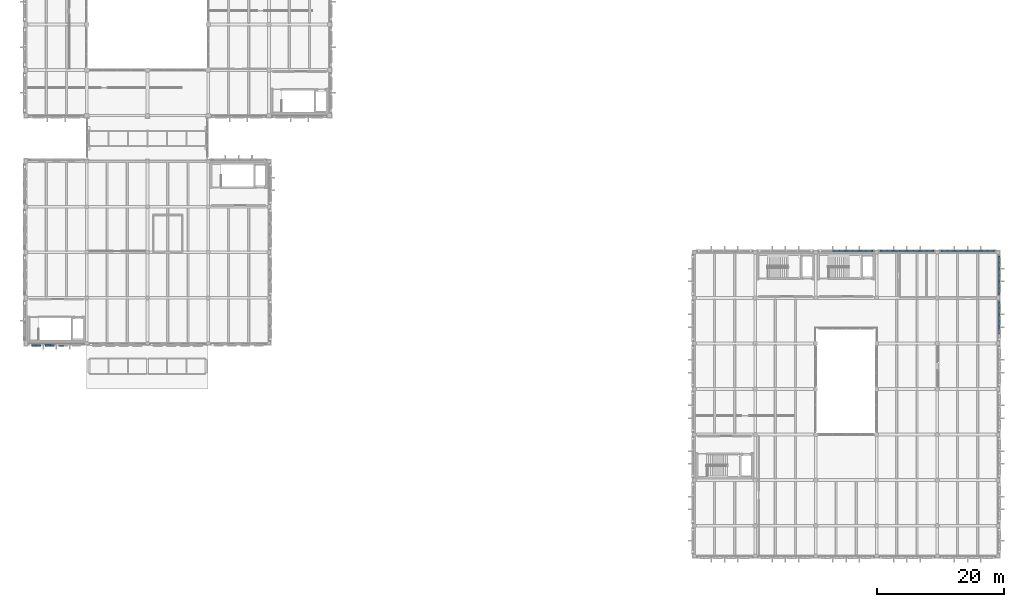
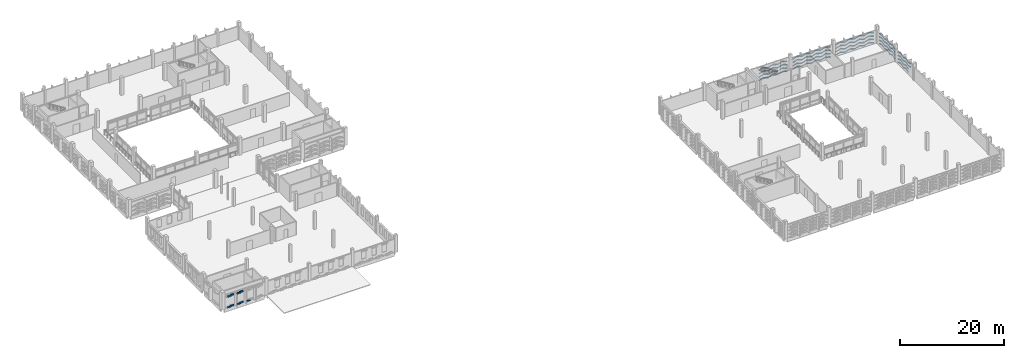
# One storey, part 47 of 72: 139 plates.
"""IFC4 building model written with IfcOpenShell, lengths in metres."""

from ifc_helpers import new_model, si_unit, direction, frame, origin, origin_2d, place, context, subcontext, project, spatial, rectangle, hollow_rectangle, extrude, material, layer, layer_set, material_profile, profile_set, type_object, element, save


model = new_model("IFC4")

# Units and contexts
model_context = context("Model", 3, precision=1e-05, world=origin(), true_north=direction((0.0, 1.0)))
body_context = subcontext(model_context, "Body", "Model", "MODEL_VIEW")
ifc_project = project(units=[si_unit("LENGTHUNIT", "METRE"), si_unit("AREAUNIT", "SQUARE_METRE"), si_unit("VOLUMEUNIT", "CUBIC_METRE"), si_unit("PLANEANGLEUNIT", "RADIAN"), si_unit("MASSUNIT", "GRAM", prefix="KILO")], contexts=[model_context])

# Site, building, storey
site_placement = place(None, origin())
site = spatial("IfcSite", under=ifc_project, at=site_placement, CompositionType="ELEMENT")
building_placement = place(site_placement, origin())
building = spatial("IfcBuilding", under=site, at=building_placement, Name="Asteropetra Specialist Clinic", CompositionType="ELEMENT")
storey_placement = place(building_placement, frame((0.0, 0.0, 12.580078125)))
storey = spatial("IfcBuildingStorey", under=building, at=storey_placement, Name="L03", CompositionType="ELEMENT", Elevation=12.580078125)

# Plates
ifc_material_1 = material(Name="Chevron emerald aluminium 6063-T6", Category="aluminium")
ifc_material_profile = material_profile(ifc_material_1, hollow_rectangle(XDim=0.159912109375, YDim=0.159912109375, WallThickness=0.008056640625, InnerFilletRadius=0.008056640625, OuterFilletRadius=0.01611328125, at=origin_2d()), Name="SHS 160x160x8.0")
ifc_profile_set = profile_set([ifc_material_profile], Name="Chevron emerald aluminium 6063-T6")
plate_type_1 = type_object("IfcPlateType", Name="CHV-RIB-160", PredefinedType="SHEET", material=ifc_profile_set)
for number, where, z_axis, x_axis, name in (
    (1, (133.784912109375, 48.219482421875, 0.0498046875), (-0.95200979945, 0.0, 0.306067544426), (0.0, -1.0, 0.0), "Chevron Facade Screen Fin CVR-3054"),
    (2, (132.753662109375, 48.219482421875, 0.38134765625), (-0.95200979945, 0.0, -0.306067544426), (0.0, -1.0, 0.0), "Chevron Facade Screen Fin CVR-3055"),
    (3, (133.784912109375, 48.219482421875, 0.81982421875), (-0.95200979945, 0.0, 0.306067544426), (0.0, -1.0, 0.0), "Chevron Facade Screen Fin CVR-3056"),
    (4, (132.753662109375, 48.219482421875, 1.1513671875), (-0.95200979945, 0.0, -0.306067544426), (0.0, -1.0, 0.0), "Chevron Facade Screen Fin CVR-3057"),
    (5, (133.784912109375, 48.219482421875, 1.619873046875), (-0.95200979945, 0.0, 0.306067544426), (0.0, -1.0, 0.0), "Chevron Facade Screen Fin CVR-3058"),
    (6, (132.753662109375, 48.219482421875, 1.951416015625), (-0.95200979945, 0.0, -0.306067544426), (0.0, -1.0, 0.0), "Chevron Facade Screen Fin CVR-3059"),
    (7, (133.784912109375, 48.219482421875, 2.39990234375), (-0.95200979945, 0.0, 0.306067544426), (0.0, -1.0, 0.0), "Chevron Facade Screen Fin CVR-3060"),
    (8, (132.753662109375, 48.219482421875, 2.7314453125), (-0.95200979945, 0.0, -0.306067544426), (0.0, -1.0, 0.0), "Chevron Facade Screen Fin CVR-3061"),
    (9, (131.6826171875, 48.219482421875, 0.0498046875), (-0.95200979945, 0.0, 0.306067544426), (0.0, -1.0, 0.0), "Chevron Facade Screen Fin CVR-3062"),
    (10, (130.6513671875, 48.219482421875, 0.38134765625), (-0.95200979945, 0.0, -0.306067544426), (0.0, -1.0, 0.0), "Chevron Facade Screen Fin CVR-3063"),
    (11, (131.6826171875, 48.219482421875, 0.81982421875), (-0.95200979945, 0.0, 0.306067544426), (0.0, -1.0, 0.0), "Chevron Facade Screen Fin CVR-3064"),
    (12, (130.6513671875, 48.219482421875, 1.1513671875), (-0.95200979945, 0.0, -0.306067544426), (0.0, -1.0, 0.0), "Chevron Facade Screen Fin CVR-3065"),
    (13, (131.6826171875, 48.219482421875, 1.619873046875), (-0.95200979945, 0.0, 0.306067544426), (0.0, -1.0, 0.0), "Chevron Facade Screen Fin CVR-3066"),
    (14, (130.6513671875, 48.219482421875, 1.951416015625), (-0.95200979945, 0.0, -0.306067544426), (0.0, -1.0, 0.0), "Chevron Facade Screen Fin CVR-3067"),
    (15, (131.6826171875, 48.219482421875, 2.39990234375), (-0.95200979945, 0.0, 0.306067544426), (0.0, -1.0, 0.0), "Chevron Facade Screen Fin CVR-3068"),
    (16, (130.6513671875, 48.219482421875, 2.7314453125), (-0.95200979945, 0.0, -0.306067544426), (0.0, -1.0, 0.0), "Chevron Facade Screen Fin CVR-3069"),
    (17, (129.580078125, 48.219482421875, 0.0498046875), (-0.95200979945, 0.0, 0.306067544426), (0.0, -1.0, 0.0), "Chevron Facade Screen Fin CVR-3070"),
    (18, (128.548828125, 48.219482421875, 0.38134765625), (-0.95200979945, 0.0, -0.306067544426), (0.0, -1.0, 0.0), "Chevron Facade Screen Fin CVR-3071"),
    (19, (129.580078125, 48.219482421875, 0.81982421875), (-0.95200979945, 0.0, 0.306067544426), (0.0, -1.0, 0.0), "Chevron Facade Screen Fin CVR-3072"),
    (20, (128.548828125, 48.219482421875, 1.1513671875), (-0.95200979945, 0.0, -0.306067544426), (0.0, -1.0, 0.0), "Chevron Facade Screen Fin CVR-3073"),
    (21, (129.580078125, 48.219482421875, 1.619873046875), (-0.95200979945, 0.0, 0.306067544426), (0.0, -1.0, 0.0), "Chevron Facade Screen Fin CVR-3074"),
    (22, (128.548828125, 48.219482421875, 1.951416015625), (-0.95200979945, 0.0, -0.306067544426), (0.0, -1.0, 0.0), "Chevron Facade Screen Fin CVR-3075"),
    (23, (129.580078125, 48.219482421875, 2.39990234375), (-0.95200979945, 0.0, 0.306067544426), (0.0, -1.0, 0.0), "Chevron Facade Screen Fin CVR-3076"),
    (24, (128.548828125, 48.219482421875, 2.7314453125), (-0.95200979945, 0.0, -0.306067544426), (0.0, -1.0, 0.0), "Chevron Facade Screen Fin CVR-3077"),
    (25, (143.385009765625, 48.219482421875, 0.0498046875), (-0.95200979945, 0.0, 0.306067544426), (0.0, -1.0, 0.0), "Chevron Facade Screen Fin CVR-3118"),
    (26, (142.353759765625, 48.219482421875, 0.38134765625), (-0.95200979945, 0.0, -0.306067544426), (0.0, -1.0, 0.0), "Chevron Facade Screen Fin CVR-3119"),
    (27, (143.385009765625, 48.219482421875, 0.81982421875), (-0.95200979945, 0.0, 0.306067544426), (0.0, -1.0, 0.0), "Chevron Facade Screen Fin CVR-3120"),
    (28, (142.353759765625, 48.219482421875, 1.1513671875), (-0.95200979945, 0.0, -0.306067544426), (0.0, -1.0, 0.0), "Chevron Facade Screen Fin CVR-3121"),
    (29, (143.385009765625, 48.219482421875, 1.619873046875), (-0.95200979945, 0.0, 0.306067544426), (0.0, -1.0, 0.0), "Chevron Facade Screen Fin CVR-3122"),
    (30, (142.353759765625, 48.219482421875, 1.951416015625), (-0.95200979945, 0.0, -0.306067544426), (0.0, -1.0, 0.0), "Chevron Facade Screen Fin CVR-3123"),
    (31, (143.385009765625, 48.219482421875, 2.39990234375), (-0.95200979945, 0.0, 0.306067544426), (0.0, -1.0, 0.0), "Chevron Facade Screen Fin CVR-3124"),
    (32, (142.353759765625, 48.219482421875, 2.7314453125), (-0.95200979945, 0.0, -0.306067544426), (0.0, -1.0, 0.0), "Chevron Facade Screen Fin CVR-3125"),
    (33, (141.282470703125, 48.219482421875, 0.0498046875), (-0.95200979945, 0.0, 0.306067544426), (0.0, -1.0, 0.0), "Chevron Facade Screen Fin CVR-3126"),
    (34, (140.251220703125, 48.219482421875, 0.38134765625), (-0.95200979945, 0.0, -0.306067544426), (0.0, -1.0, 0.0), "Chevron Facade Screen Fin CVR-3127"),
    (35, (141.282470703125, 48.219482421875, 0.81982421875), (-0.95200979945, 0.0, 0.306067544426), (0.0, -1.0, 0.0), "Chevron Facade Screen Fin CVR-3128"),
    (36, (140.251220703125, 48.219482421875, 1.1513671875), (-0.95200979945, 0.0, -0.306067544426), (0.0, -1.0, 0.0), "Chevron Facade Screen Fin CVR-3129"),
    (37, (141.282470703125, 48.219482421875, 1.619873046875), (-0.95200979945, 0.0, 0.306067544426), (0.0, -1.0, 0.0), "Chevron Facade Screen Fin CVR-3130"),
    (38, (140.251220703125, 48.219482421875, 1.951416015625), (-0.95200979945, 0.0, -0.306067544426), (0.0, -1.0, 0.0), "Chevron Facade Screen Fin CVR-3131"),
    (39, (141.282470703125, 48.219482421875, 2.39990234375), (-0.95200979945, 0.0, 0.306067544426), (0.0, -1.0, 0.0), "Chevron Facade Screen Fin CVR-3132"),
    (40, (140.251220703125, 48.219482421875, 2.7314453125), (-0.95200979945, 0.0, -0.306067544426), (0.0, -1.0, 0.0), "Chevron Facade Screen Fin CVR-3133"),
    (41, (139.179931640625, 48.219482421875, 0.0498046875), (-0.95200979945, 0.0, 0.306067544426), (0.0, -1.0, 0.0), "Chevron Facade Screen Fin CVR-3134"),
    (42, (138.148681640625, 48.219482421875, 0.38134765625), (-0.95200979945, 0.0, -0.306067544426), (0.0, -1.0, 0.0), "Chevron Facade Screen Fin CVR-3135"),
    (43, (139.179931640625, 48.219482421875, 0.81982421875), (-0.95200979945, 0.0, 0.306067544426), (0.0, -1.0, 0.0), "Chevron Facade Screen Fin CVR-3136"),
    (44, (138.148681640625, 48.219482421875, 1.1513671875), (-0.95200979945, 0.0, -0.306067544426), (0.0, -1.0, 0.0), "Chevron Facade Screen Fin CVR-3137"),
    (45, (139.179931640625, 48.219482421875, 1.619873046875), (-0.95200979945, 0.0, 0.306067544426), (0.0, -1.0, 0.0), "Chevron Facade Screen Fin CVR-3138"),
    (46, (138.148681640625, 48.219482421875, 1.951416015625), (-0.95200979945, 0.0, -0.306067544426), (0.0, -1.0, 0.0), "Chevron Facade Screen Fin CVR-3139"),
    (47, (139.179931640625, 48.219482421875, 2.39990234375), (-0.95200979945, 0.0, 0.306067544426), (0.0, -1.0, 0.0), "Chevron Facade Screen Fin CVR-3140"),
    (48, (138.148681640625, 48.219482421875, 2.7314453125), (-0.95200979945, 0.0, -0.306067544426), (0.0, -1.0, 0.0), "Chevron Facade Screen Fin CVR-3141"),
):
    element("IfcPlate", number, at=place(storey_placement, frame(where, z_axis=z_axis, x_axis=x_axis)), inside=storey, type_object=plate_type_1, Name=name, PredefinedType="SHEET", context=body_context, shape_type="SweptSolid", body=[
        extrude(hollow_rectangle(XDim=0.159912109375, YDim=0.159912109375, WallThickness=0.008056640625, InnerFilletRadius=0.008056640625, OuterFilletRadius=0.01611328125, at=origin_2d()), origin(), (0.0, 0.0, 1.0), 1.083251953125),
    ])
plate_1_placement = place(storey_placement, frame((137.077392578125, 48.219482421875, 0.0498046875), z_axis=(-0.95198867955, 0.0, 0.30613322918), x_axis=(0.0, -1.0, 0.0)))
element("IfcPlate", 49, at=plate_1_placement, inside=storey, type_object=plate_type_1, Name="Chevron Facade Screen Fin CVR-3142", PredefinedType="SHEET", context=body_context, shape_type="SweptSolid", body=[
    extrude(hollow_rectangle(XDim=0.159912109375, YDim=0.159912109375, WallThickness=0.008056640625, InnerFilletRadius=0.008056640625, OuterFilletRadius=0.01611328125, at=origin_2d()), origin(), (0.0, 0.0, 1.0), 1.0830078125),
])
plate_2_placement = place(storey_placement, frame((136.04638671875, 48.219482421875, 0.38134765625), z_axis=(-0.95203090576, 0.0, -0.306001886396), x_axis=(0.0, -1.0, 0.0)))
element("IfcPlate", 50, at=plate_2_placement, inside=storey, type_object=plate_type_1, Name="Chevron Facade Screen Fin CVR-3143", PredefinedType="SHEET", context=body_context, shape_type="SweptSolid", body=[
    extrude(hollow_rectangle(XDim=0.159912109375, YDim=0.159912109375, WallThickness=0.008056640625, InnerFilletRadius=0.008056640625, OuterFilletRadius=0.01611328125, at=origin_2d()), origin(), (0.0, 0.0, 1.0), 1.08349609375),
])
plate_3_placement = place(storey_placement, frame((137.077392578125, 48.219482421875, 0.81982421875), z_axis=(-0.95198867955, 0.0, 0.30613322918), x_axis=(0.0, -1.0, 0.0)))
element("IfcPlate", 51, at=plate_3_placement, inside=storey, type_object=plate_type_1, Name="Chevron Facade Screen Fin CVR-3144", PredefinedType="SHEET", context=body_context, shape_type="SweptSolid", body=[
    extrude(hollow_rectangle(XDim=0.159912109375, YDim=0.159912109375, WallThickness=0.008056640625, InnerFilletRadius=0.008056640625, OuterFilletRadius=0.01611328125, at=origin_2d()), origin(), (0.0, 0.0, 1.0), 1.0830078125),
])
plate_4_placement = place(storey_placement, frame((136.04638671875, 48.219482421875, 1.1513671875), z_axis=(-0.95203090576, 0.0, -0.306001886396), x_axis=(0.0, -1.0, 0.0)))
element("IfcPlate", 52, at=plate_4_placement, inside=storey, type_object=plate_type_1, Name="Chevron Facade Screen Fin CVR-3145", PredefinedType="SHEET", context=body_context, shape_type="SweptSolid", body=[
    extrude(hollow_rectangle(XDim=0.159912109375, YDim=0.159912109375, WallThickness=0.008056640625, InnerFilletRadius=0.008056640625, OuterFilletRadius=0.01611328125, at=origin_2d()), origin(), (0.0, 0.0, 1.0), 1.08349609375),
])
plate_5_placement = place(storey_placement, frame((137.077392578125, 48.219482421875, 1.619873046875), z_axis=(-0.95198867955, 0.0, 0.30613322918), x_axis=(0.0, -1.0, 0.0)))
element("IfcPlate", 53, at=plate_5_placement, inside=storey, type_object=plate_type_1, Name="Chevron Facade Screen Fin CVR-3146", PredefinedType="SHEET", context=body_context, shape_type="SweptSolid", body=[
    extrude(hollow_rectangle(XDim=0.159912109375, YDim=0.159912109375, WallThickness=0.008056640625, InnerFilletRadius=0.008056640625, OuterFilletRadius=0.01611328125, at=origin_2d()), origin(), (0.0, 0.0, 1.0), 1.0830078125),
])
plate_6_placement = place(storey_placement, frame((136.04638671875, 48.219482421875, 1.951416015625), z_axis=(-0.95203090576, 0.0, -0.306001886396), x_axis=(0.0, -1.0, 0.0)))
element("IfcPlate", 54, at=plate_6_placement, inside=storey, type_object=plate_type_1, Name="Chevron Facade Screen Fin CVR-3147", PredefinedType="SHEET", context=body_context, shape_type="SweptSolid", body=[
    extrude(hollow_rectangle(XDim=0.159912109375, YDim=0.159912109375, WallThickness=0.008056640625, InnerFilletRadius=0.008056640625, OuterFilletRadius=0.01611328125, at=origin_2d()), origin(), (0.0, 0.0, 1.0), 1.08349609375),
])
plate_7_placement = place(storey_placement, frame((137.077392578125, 48.219482421875, 2.39990234375), z_axis=(-0.95198867955, 0.0, 0.30613322918), x_axis=(0.0, -1.0, 0.0)))
element("IfcPlate", 55, at=plate_7_placement, inside=storey, type_object=plate_type_1, Name="Chevron Facade Screen Fin CVR-3148", PredefinedType="SHEET", context=body_context, shape_type="SweptSolid", body=[
    extrude(hollow_rectangle(XDim=0.159912109375, YDim=0.159912109375, WallThickness=0.008056640625, InnerFilletRadius=0.008056640625, OuterFilletRadius=0.01611328125, at=origin_2d()), origin(), (0.0, 0.0, 1.0), 1.0830078125),
])
for number, where, z_axis, x_axis, name in (
    (56, (136.04638671875, 48.219482421875, 2.7314453125), (-0.95203090576, 0.0, -0.306001886396), (0.0, -1.0, 0.0), "Chevron Facade Screen Fin CVR-3149"),
    (57, (152.985107421875, 48.219482421875, 0.0498046875), (-0.95203090576, 0.0, 0.306001886396), (0.0, -1.0, 0.0), "Chevron Facade Screen Fin CVR-3182"),
):
    element("IfcPlate", number, at=place(storey_placement, frame(where, z_axis=z_axis, x_axis=x_axis)), inside=storey, type_object=plate_type_1, Name=name, PredefinedType="SHEET", context=body_context, shape_type="SweptSolid", body=[
        extrude(hollow_rectangle(XDim=0.159912109375, YDim=0.159912109375, WallThickness=0.008056640625, InnerFilletRadius=0.008056640625, OuterFilletRadius=0.01611328125, at=origin_2d()), origin(), (0.0, 0.0, 1.0), 1.08349609375),
    ])
plate_8_placement = place(storey_placement, frame((151.95361328125, 48.219482421875, 0.38134765625), z_axis=(-0.95198867955, 0.0, -0.30613322918), x_axis=(0.0, -1.0, 0.0)))
element("IfcPlate", 58, at=plate_8_placement, inside=storey, type_object=plate_type_1, Name="Chevron Facade Screen Fin CVR-3183", PredefinedType="SHEET", context=body_context, shape_type="SweptSolid", body=[
    extrude(hollow_rectangle(XDim=0.159912109375, YDim=0.159912109375, WallThickness=0.008056640625, InnerFilletRadius=0.008056640625, OuterFilletRadius=0.01611328125, at=origin_2d()), origin(), (0.0, 0.0, 1.0), 1.0830078125),
])
plate_9_placement = place(storey_placement, frame((152.985107421875, 48.219482421875, 0.81982421875), z_axis=(-0.95203090576, 0.0, 0.306001886396), x_axis=(0.0, -1.0, 0.0)))
element("IfcPlate", 59, at=plate_9_placement, inside=storey, type_object=plate_type_1, Name="Chevron Facade Screen Fin CVR-3184", PredefinedType="SHEET", context=body_context, shape_type="SweptSolid", body=[
    extrude(hollow_rectangle(XDim=0.159912109375, YDim=0.159912109375, WallThickness=0.008056640625, InnerFilletRadius=0.008056640625, OuterFilletRadius=0.01611328125, at=origin_2d()), origin(), (0.0, 0.0, 1.0), 1.08349609375),
])
plate_10_placement = place(storey_placement, frame((151.95361328125, 48.219482421875, 1.1513671875), z_axis=(-0.95198867955, 0.0, -0.30613322918), x_axis=(0.0, -1.0, 0.0)))
element("IfcPlate", 60, at=plate_10_placement, inside=storey, type_object=plate_type_1, Name="Chevron Facade Screen Fin CVR-3185", PredefinedType="SHEET", context=body_context, shape_type="SweptSolid", body=[
    extrude(hollow_rectangle(XDim=0.159912109375, YDim=0.159912109375, WallThickness=0.008056640625, InnerFilletRadius=0.008056640625, OuterFilletRadius=0.01611328125, at=origin_2d()), origin(), (0.0, 0.0, 1.0), 1.0830078125),
])
plate_11_placement = place(storey_placement, frame((152.985107421875, 48.219482421875, 1.619873046875), z_axis=(-0.95203090576, 0.0, 0.306001886396), x_axis=(0.0, -1.0, 0.0)))
element("IfcPlate", 61, at=plate_11_placement, inside=storey, type_object=plate_type_1, Name="Chevron Facade Screen Fin CVR-3186", PredefinedType="SHEET", context=body_context, shape_type="SweptSolid", body=[
    extrude(hollow_rectangle(XDim=0.159912109375, YDim=0.159912109375, WallThickness=0.008056640625, InnerFilletRadius=0.008056640625, OuterFilletRadius=0.01611328125, at=origin_2d()), origin(), (0.0, 0.0, 1.0), 1.08349609375),
])
plate_12_placement = place(storey_placement, frame((151.95361328125, 48.219482421875, 1.951416015625), z_axis=(-0.95198867955, 0.0, -0.30613322918), x_axis=(0.0, -1.0, 0.0)))
element("IfcPlate", 62, at=plate_12_placement, inside=storey, type_object=plate_type_1, Name="Chevron Facade Screen Fin CVR-3187", PredefinedType="SHEET", context=body_context, shape_type="SweptSolid", body=[
    extrude(hollow_rectangle(XDim=0.159912109375, YDim=0.159912109375, WallThickness=0.008056640625, InnerFilletRadius=0.008056640625, OuterFilletRadius=0.01611328125, at=origin_2d()), origin(), (0.0, 0.0, 1.0), 1.0830078125),
])
plate_13_placement = place(storey_placement, frame((152.985107421875, 48.219482421875, 2.39990234375), z_axis=(-0.95203090576, 0.0, 0.306001886396), x_axis=(0.0, -1.0, 0.0)))
element("IfcPlate", 63, at=plate_13_placement, inside=storey, type_object=plate_type_1, Name="Chevron Facade Screen Fin CVR-3188", PredefinedType="SHEET", context=body_context, shape_type="SweptSolid", body=[
    extrude(hollow_rectangle(XDim=0.159912109375, YDim=0.159912109375, WallThickness=0.008056640625, InnerFilletRadius=0.008056640625, OuterFilletRadius=0.01611328125, at=origin_2d()), origin(), (0.0, 0.0, 1.0), 1.08349609375),
])
plate_14_placement = place(storey_placement, frame((151.95361328125, 48.219482421875, 2.7314453125), z_axis=(-0.95198867955, 0.0, -0.30613322918), x_axis=(0.0, -1.0, 0.0)))
element("IfcPlate", 64, at=plate_14_placement, inside=storey, type_object=plate_type_1, Name="Chevron Facade Screen Fin CVR-3189", PredefinedType="SHEET", context=body_context, shape_type="SweptSolid", body=[
    extrude(hollow_rectangle(XDim=0.159912109375, YDim=0.159912109375, WallThickness=0.008056640625, InnerFilletRadius=0.008056640625, OuterFilletRadius=0.01611328125, at=origin_2d()), origin(), (0.0, 0.0, 1.0), 1.0830078125),
])
for number, where, z_axis, x_axis, name in (
    (65, (150.882568359375, 48.219482421875, 0.0498046875), (-0.95200979945, 0.0, 0.306067544426), (0.0, -1.0, 0.0), "Chevron Facade Screen Fin CVR-3190"),
    (66, (149.851318359375, 48.219482421875, 0.38134765625), (-0.95200979945, 0.0, -0.306067544426), (0.0, -1.0, 0.0), "Chevron Facade Screen Fin CVR-3191"),
    (67, (150.882568359375, 48.219482421875, 0.81982421875), (-0.95200979945, 0.0, 0.306067544426), (0.0, -1.0, 0.0), "Chevron Facade Screen Fin CVR-3192"),
    (68, (149.851318359375, 48.219482421875, 1.1513671875), (-0.95200979945, 0.0, -0.306067544426), (0.0, -1.0, 0.0), "Chevron Facade Screen Fin CVR-3193"),
    (69, (150.882568359375, 48.219482421875, 1.619873046875), (-0.95200979945, 0.0, 0.306067544426), (0.0, -1.0, 0.0), "Chevron Facade Screen Fin CVR-3194"),
    (70, (149.851318359375, 48.219482421875, 1.951416015625), (-0.95200979945, 0.0, -0.306067544426), (0.0, -1.0, 0.0), "Chevron Facade Screen Fin CVR-3195"),
    (71, (150.882568359375, 48.219482421875, 2.39990234375), (-0.95200979945, 0.0, 0.306067544426), (0.0, -1.0, 0.0), "Chevron Facade Screen Fin CVR-3196"),
    (72, (149.851318359375, 48.219482421875, 2.7314453125), (-0.95200979945, 0.0, -0.306067544426), (0.0, -1.0, 0.0), "Chevron Facade Screen Fin CVR-3197"),
    (73, (148.780029296875, 48.219482421875, 0.0498046875), (-0.95200979945, 0.0, 0.306067544426), (0.0, -1.0, 0.0), "Chevron Facade Screen Fin CVR-3198"),
    (74, (147.748779296875, 48.219482421875, 0.38134765625), (-0.95200979945, 0.0, -0.306067544426), (0.0, -1.0, 0.0), "Chevron Facade Screen Fin CVR-3199"),
    (75, (148.780029296875, 48.219482421875, 0.81982421875), (-0.95200979945, 0.0, 0.306067544426), (0.0, -1.0, 0.0), "Chevron Facade Screen Fin CVR-3200"),
    (76, (147.748779296875, 48.219482421875, 1.1513671875), (-0.95200979945, 0.0, -0.306067544426), (0.0, -1.0, 0.0), "Chevron Facade Screen Fin CVR-3201"),
    (77, (148.780029296875, 48.219482421875, 1.619873046875), (-0.95200979945, 0.0, 0.306067544426), (0.0, -1.0, 0.0), "Chevron Facade Screen Fin CVR-3202"),
    (78, (147.748779296875, 48.219482421875, 1.951416015625), (-0.95200979945, 0.0, -0.306067544426), (0.0, -1.0, 0.0), "Chevron Facade Screen Fin CVR-3203"),
    (79, (148.780029296875, 48.219482421875, 2.39990234375), (-0.95200979945, 0.0, 0.306067544426), (0.0, -1.0, 0.0), "Chevron Facade Screen Fin CVR-3204"),
    (80, (147.748779296875, 48.219482421875, 2.7314453125), (-0.95200979945, 0.0, -0.306067544426), (0.0, -1.0, 0.0), "Chevron Facade Screen Fin CVR-3205"),
    (81, (146.677490234375, 48.219482421875, 0.0498046875), (-0.95200979945, 0.0, 0.306067544426), (0.0, -1.0, 0.0), "Chevron Facade Screen Fin CVR-3206"),
    (82, (145.646240234375, 48.219482421875, 0.38134765625), (-0.95200979945, 0.0, -0.306067544426), (0.0, -1.0, 0.0), "Chevron Facade Screen Fin CVR-3207"),
    (83, (146.677490234375, 48.219482421875, 0.81982421875), (-0.95200979945, 0.0, 0.306067544426), (0.0, -1.0, 0.0), "Chevron Facade Screen Fin CVR-3208"),
    (84, (145.646240234375, 48.219482421875, 1.1513671875), (-0.95200979945, 0.0, -0.306067544426), (0.0, -1.0, 0.0), "Chevron Facade Screen Fin CVR-3209"),
    (85, (146.677490234375, 48.219482421875, 1.619873046875), (-0.95200979945, 0.0, 0.306067544426), (0.0, -1.0, 0.0), "Chevron Facade Screen Fin CVR-3210"),
    (86, (145.646240234375, 48.219482421875, 1.951416015625), (-0.95200979945, 0.0, -0.306067544426), (0.0, -1.0, 0.0), "Chevron Facade Screen Fin CVR-3211"),
    (87, (146.677490234375, 48.219482421875, 2.39990234375), (-0.95200979945, 0.0, 0.306067544426), (0.0, -1.0, 0.0), "Chevron Facade Screen Fin CVR-3212"),
    (88, (145.646240234375, 48.219482421875, 2.7314453125), (-0.95200979945, 0.0, -0.306067544426), (0.0, -1.0, 0.0), "Chevron Facade Screen Fin CVR-3213"),
):
    element("IfcPlate", number, at=place(storey_placement, frame(where, z_axis=z_axis, x_axis=x_axis)), inside=storey, type_object=plate_type_1, Name=name, PredefinedType="SHEET", context=body_context, shape_type="SweptSolid", body=[
        extrude(hollow_rectangle(XDim=0.159912109375, YDim=0.159912109375, WallThickness=0.008056640625, InnerFilletRadius=0.008056640625, OuterFilletRadius=0.01611328125, at=origin_2d()), origin(), (0.0, 0.0, 1.0), 1.083251953125),
    ])
for number, where, z_axis, x_axis, name in (
    (89, (153.819580078125, 35.19677734375, 1.935791015625), (0.0, 0.951900364266, -0.306407729194), (-1.0, 0.0, 0.0), "Chevron Facade Screen Fin CVR-3467"),
    (90, (153.819580078125, 35.19677734375, 2.7158203125), (0.0, 0.951900364266, -0.306407729194), (-1.0, 0.0, 0.0), "Chevron Facade Screen Fin CVR-3469"),
):
    element("IfcPlate", number, at=place(storey_placement, frame(where, z_axis=z_axis, x_axis=x_axis)), inside=storey, type_object=plate_type_1, Name=name, PredefinedType="SHEET", context=body_context, shape_type="SweptSolid", body=[
        extrude(hollow_rectangle(XDim=0.159912109375, YDim=0.159912109375, WallThickness=0.008056640625, InnerFilletRadius=0.008056640625, OuterFilletRadius=0.01611328125, at=origin_2d()), origin(), (0.0, 0.0, 1.0), 1.031005859375),
    ])
for number, where, z_axis, x_axis, name in (
    (91, (153.819580078125, 36.21826171875, 0.0498046875), (0.0, 0.951922588053, 0.306338679169), (-1.0, 0.0, 0.0), "Chevron Facade Screen Fin CVR-3470"),
    (92, (153.819580078125, 37.199951171875, 0.36572265625), (0.0, 0.951922588053, -0.306338679169), (-1.0, 0.0, 0.0), "Chevron Facade Screen Fin CVR-3471"),
    (93, (153.819580078125, 36.21826171875, 0.81982421875), (0.0, 0.951922588053, 0.306338679169), (-1.0, 0.0, 0.0), "Chevron Facade Screen Fin CVR-3472"),
    (94, (153.819580078125, 37.199951171875, 1.1357421875), (0.0, 0.951922588053, -0.306338679169), (-1.0, 0.0, 0.0), "Chevron Facade Screen Fin CVR-3473"),
    (95, (153.819580078125, 36.21826171875, 1.619873046875), (0.0, 0.951922588053, 0.306338679169), (-1.0, 0.0, 0.0), "Chevron Facade Screen Fin CVR-3474"),
    (96, (153.819580078125, 37.199951171875, 1.935791015625), (0.0, 0.951922588053, -0.306338679169), (-1.0, 0.0, 0.0), "Chevron Facade Screen Fin CVR-3475"),
    (97, (153.819580078125, 36.21826171875, 2.39990234375), (0.0, 0.951922588053, 0.306338679169), (-1.0, 0.0, 0.0), "Chevron Facade Screen Fin CVR-3476"),
    (98, (153.819580078125, 37.199951171875, 2.7158203125), (0.0, 0.951922588053, -0.306338679169), (-1.0, 0.0, 0.0), "Chevron Facade Screen Fin CVR-3477"),
    (99, (153.819580078125, 38.2216796875, 0.0498046875), (0.0, 0.951922588053, 0.306338679169), (-1.0, 0.0, 0.0), "Chevron Facade Screen Fin CVR-3478"),
    (100, (153.819580078125, 39.203369140625, 0.36572265625), (0.0, 0.951922588053, -0.306338679169), (-1.0, 0.0, 0.0), "Chevron Facade Screen Fin CVR-3479"),
    (101, (153.819580078125, 38.2216796875, 0.81982421875), (0.0, 0.951922588053, 0.306338679169), (-1.0, 0.0, 0.0), "Chevron Facade Screen Fin CVR-3480"),
    (102, (153.819580078125, 39.203369140625, 1.1357421875), (0.0, 0.951922588053, -0.306338679169), (-1.0, 0.0, 0.0), "Chevron Facade Screen Fin CVR-3481"),
    (103, (153.819580078125, 38.2216796875, 1.619873046875), (0.0, 0.951922588053, 0.306338679169), (-1.0, 0.0, 0.0), "Chevron Facade Screen Fin CVR-3482"),
    (104, (153.819580078125, 39.203369140625, 1.935791015625), (0.0, 0.951922588053, -0.306338679169), (-1.0, 0.0, 0.0), "Chevron Facade Screen Fin CVR-3483"),
    (105, (153.819580078125, 38.2216796875, 2.39990234375), (0.0, 0.951922588053, 0.306338679169), (-1.0, 0.0, 0.0), "Chevron Facade Screen Fin CVR-3484"),
    (106, (153.819580078125, 39.203369140625, 2.7158203125), (0.0, 0.951922588053, -0.306338679169), (-1.0, 0.0, 0.0), "Chevron Facade Screen Fin CVR-3485"),
    (107, (153.819580078125, 41.4150390625, 0.0498046875), (0.0, 0.951922588053, 0.306338679169), (-1.0, 0.0, 0.0), "Chevron Facade Screen Fin CVR-3510"),
    (108, (153.819580078125, 42.396728515625, 0.36572265625), (0.0, 0.951922588053, -0.306338679169), (-1.0, 0.0, 0.0), "Chevron Facade Screen Fin CVR-3511"),
    (109, (153.819580078125, 41.4150390625, 0.81982421875), (0.0, 0.951922588053, 0.306338679169), (-1.0, 0.0, 0.0), "Chevron Facade Screen Fin CVR-3512"),
    (110, (153.819580078125, 42.396728515625, 1.1357421875), (0.0, 0.951922588053, -0.306338679169), (-1.0, 0.0, 0.0), "Chevron Facade Screen Fin CVR-3513"),
    (111, (153.819580078125, 41.4150390625, 1.619873046875), (0.0, 0.951922588053, 0.306338679169), (-1.0, 0.0, 0.0), "Chevron Facade Screen Fin CVR-3514"),
    (112, (153.819580078125, 42.396728515625, 1.935791015625), (0.0, 0.951922588053, -0.306338679169), (-1.0, 0.0, 0.0), "Chevron Facade Screen Fin CVR-3515"),
    (113, (153.819580078125, 41.4150390625, 2.39990234375), (0.0, 0.951922588053, 0.306338679169), (-1.0, 0.0, 0.0), "Chevron Facade Screen Fin CVR-3516"),
    (114, (153.819580078125, 42.396728515625, 2.7158203125), (0.0, 0.951922588053, -0.306338679169), (-1.0, 0.0, 0.0), "Chevron Facade Screen Fin CVR-3517"),
    (115, (153.819580078125, 43.418212890625, 0.0498046875), (0.0, 0.951922588053, 0.306338679169), (-1.0, 0.0, 0.0), "Chevron Facade Screen Fin CVR-3518"),
    (116, (153.819580078125, 44.39990234375, 0.36572265625), (0.0, 0.951922588053, -0.306338679169), (-1.0, 0.0, 0.0), "Chevron Facade Screen Fin CVR-3519"),
    (117, (153.819580078125, 43.418212890625, 0.81982421875), (0.0, 0.951922588053, 0.306338679169), (-1.0, 0.0, 0.0), "Chevron Facade Screen Fin CVR-3520"),
    (118, (153.819580078125, 44.39990234375, 1.1357421875), (0.0, 0.951922588053, -0.306338679169), (-1.0, 0.0, 0.0), "Chevron Facade Screen Fin CVR-3521"),
    (119, (153.819580078125, 43.418212890625, 1.619873046875), (0.0, 0.951922588053, 0.306338679169), (-1.0, 0.0, 0.0), "Chevron Facade Screen Fin CVR-3522"),
    (120, (153.819580078125, 44.39990234375, 1.935791015625), (0.0, 0.951922588053, -0.306338679169), (-1.0, 0.0, 0.0), "Chevron Facade Screen Fin CVR-3523"),
    (121, (153.819580078125, 43.418212890625, 2.39990234375), (0.0, 0.951922588053, 0.306338679169), (-1.0, 0.0, 0.0), "Chevron Facade Screen Fin CVR-3524"),
    (122, (153.819580078125, 44.39990234375, 2.7158203125), (0.0, 0.951922588053, -0.306338679169), (-1.0, 0.0, 0.0), "Chevron Facade Screen Fin CVR-3525"),
    (123, (153.819580078125, 45.421630859375, 0.0498046875), (0.0, 0.951922588053, 0.306338679169), (-1.0, 0.0, 0.0), "Chevron Facade Screen Fin CVR-3526"),
    (124, (153.819580078125, 46.4033203125, 0.36572265625), (0.0, 0.951922588053, -0.306338679169), (-1.0, 0.0, 0.0), "Chevron Facade Screen Fin CVR-3527"),
    (125, (153.819580078125, 45.421630859375, 0.81982421875), (0.0, 0.951922588053, 0.306338679169), (-1.0, 0.0, 0.0), "Chevron Facade Screen Fin CVR-3528"),
    (126, (153.819580078125, 46.4033203125, 1.1357421875), (0.0, 0.951922588053, -0.306338679169), (-1.0, 0.0, 0.0), "Chevron Facade Screen Fin CVR-3529"),
    (127, (153.819580078125, 45.421630859375, 1.619873046875), (0.0, 0.951922588053, 0.306338679169), (-1.0, 0.0, 0.0), "Chevron Facade Screen Fin CVR-3530"),
    (128, (153.819580078125, 46.4033203125, 1.935791015625), (0.0, 0.951922588053, -0.306338679169), (-1.0, 0.0, 0.0), "Chevron Facade Screen Fin CVR-3531"),
    (129, (153.819580078125, 45.421630859375, 2.39990234375), (0.0, 0.951922588053, 0.306338679169), (-1.0, 0.0, 0.0), "Chevron Facade Screen Fin CVR-3532"),
    (130, (153.819580078125, 46.4033203125, 2.7158203125), (0.0, 0.951922588053, -0.306338679169), (-1.0, 0.0, 0.0), "Chevron Facade Screen Fin CVR-3533"),
):
    element("IfcPlate", number, at=place(storey_placement, frame(where, z_axis=z_axis, x_axis=x_axis)), inside=storey, type_object=plate_type_1, Name=name, PredefinedType="SHEET", context=body_context, shape_type="SweptSolid", body=[
        extrude(hollow_rectangle(XDim=0.159912109375, YDim=0.159912109375, WallThickness=0.008056640625, InnerFilletRadius=0.008056640625, OuterFilletRadius=0.01611328125, at=origin_2d()), origin(), (0.0, 0.0, 1.0), 1.03125),
    ])
ifc_material_2 = material(Name="Aluminium 6063-T6", Category="aluminium")
ifc_layer = layer(ifc_material_2, 0.139892578125)
ifc_layer_set = layer_set([ifc_layer], Name="Aluminium 6063-T6")
plate_type_2 = type_object("IfcPlateType", Name="PLT-CHV-TILE", PredefinedType="SHEET", material=ifc_layer_set)
for number, where, z_axis, x_axis, name in (
    (131, (1.35986328125, 33.327392578125, 0.02978515625), (0.0, 0.0, 1.0), (1.0, 0.0, 0.0), "Chevron Ceramic Panel CPT-1565"),
    (132, (1.93896484375, 33.327392578125, 0.15576171875), (0.0, 0.0, 1.0), (1.0, 0.0, 0.0), "Chevron Ceramic Panel CPT-1566"),
    (133, (1.35986328125, 33.327392578125, 2.5498046875), (0.0, 0.0, 1.0), (1.0, 0.0, 0.0), "Chevron Ceramic Panel CPT-1567"),
    (134, (1.93896484375, 33.327392578125, 2.67578125), (0.0, 0.0, 1.0), (1.0, 0.0, 0.0), "Chevron Ceramic Panel CPT-1568"),
):
    element("IfcPlate", number, at=place(storey_placement, frame(where, z_axis=z_axis, x_axis=x_axis)), inside=storey, type_object=plate_type_2, Name=name, PredefinedType="SHEET", context=body_context, shape_type="SweptSolid", body=[
        extrude(rectangle(XDim=0.826904296875, YDim=0.280029296875, at=origin_2d()), origin(), (0.0, 0.0, 1.0), 0.300048828125),
    ])
for number, where, z_axis, x_axis, name in (
    (135, (3.468505859375, 33.327392578125, 0.02978515625), (0.0, 0.0, 1.0), (1.0, 0.0, 0.0), "Chevron Ceramic Panel CPT-1569"),
    (136, (4.047607421875, 33.327392578125, 0.15576171875), (0.0, 0.0, 1.0), (1.0, 0.0, 0.0), "Chevron Ceramic Panel CPT-1570"),
    (137, (3.468505859375, 33.327392578125, 2.5498046875), (0.0, 0.0, 1.0), (1.0, 0.0, 0.0), "Chevron Ceramic Panel CPT-1571"),
    (138, (4.047607421875, 33.327392578125, 2.67578125), (0.0, 0.0, 1.0), (1.0, 0.0, 0.0), "Chevron Ceramic Panel CPT-1572"),
    (139, (5.5771484375, 33.327392578125, 0.02978515625), (0.0, 0.0, 1.0), (1.0, 0.0, 0.0), "Chevron Ceramic Panel CPT-1573"),
):
    element("IfcPlate", number, at=place(storey_placement, frame(where, z_axis=z_axis, x_axis=x_axis)), inside=storey, type_object=plate_type_2, Name=name, PredefinedType="SHEET", context=body_context, shape_type="SweptSolid", body=[
        extrude(rectangle(XDim=0.827880859375, YDim=0.280029296875, at=origin_2d()), origin(), (0.0, 0.0, 1.0), 0.300048828125),
    ])

save(model, "model.ifc")
